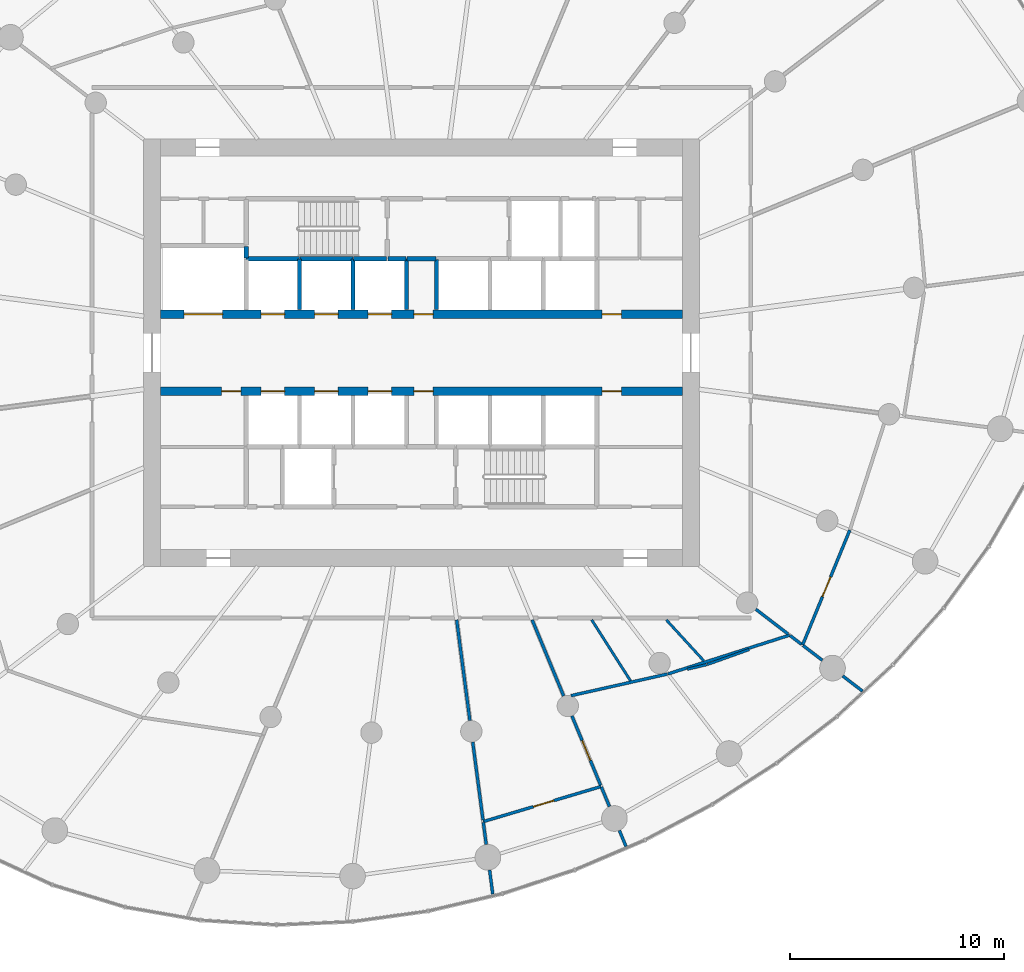
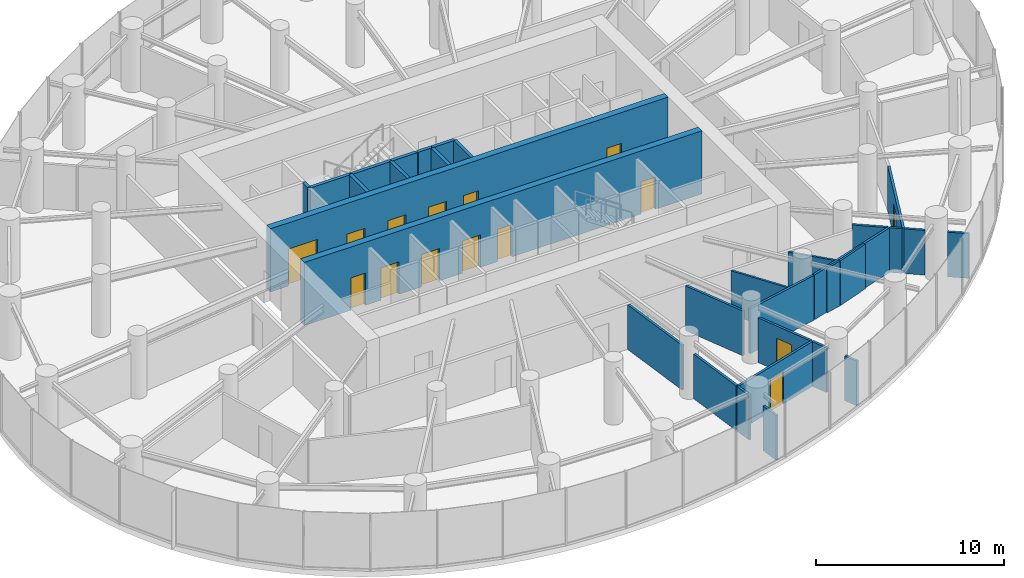
# One storey, part 11 of 17: 32 walls, 15 doors, 15 openings.
"""IFC4 building model written with IfcOpenShell, lengths in metres."""

from ifc_helpers import new_model, si_unit, direction, frame, frame_2d, origin, place, context, subcontext, project, spatial, rectangle, extrude, source, transform, mapped, material, layer, layer_set, type_object, element, fill, save


model = new_model("IFC4")

# Units and contexts
model_context = context("Model", 3, precision=1e-05, world=origin(), true_north=direction((0.0, 1.0)))
body_context = subcontext(model_context, "Body", "Model", "MODEL_VIEW")
ifc_project = project(units=[si_unit("LENGTHUNIT", "METRE"), si_unit("AREAUNIT", "SQUARE_METRE"), si_unit("VOLUMEUNIT", "CUBIC_METRE"), si_unit("PLANEANGLEUNIT", "RADIAN"), si_unit("MASSUNIT", "GRAM", prefix="KILO")], contexts=[model_context])

# Site, building, storey
site_placement = place(None, origin())
site = spatial("IfcSite", under=ifc_project, at=site_placement, CompositionType="ELEMENT")
building_placement = place(site_placement, origin())
building = spatial("IfcBuilding", under=site, at=building_placement, Name="Spindrift Exchange Tower", CompositionType="ELEMENT")
storey_placement = place(building_placement, frame((0.0, 0.0, 108.5)))
storey = spatial("IfcBuildingStorey", under=building, at=storey_placement, Name="L25", CompositionType="ELEMENT", Elevation=108.5)

# Wall, openings, doors
ifc_material_1 = material(Name="Concrete 65 MPa", Category="concrete")
ifc_layer_1 = layer(ifc_material_1, 0.39990234375)
ifc_layer_set_1 = layer_set([ifc_layer_1], Name="RC Spine Wall 400 Concrete 65 MPa")
wall_type_1 = type_object("IfcWallType", Name="RC Spine Wall 400 Concrete 65 MPa", PredefinedType="SHEAR", material=ifc_layer_set_1)
wall_1_placement = place(storey_placement, frame((39.800048828125, 49.800048828125, 0.0), z_axis=(0.0, 0.0, 1.0), x_axis=(1.0, 0.0, 0.0)))
wall_1 = element("IfcWall", 1, at=wall_1_placement, inside=storey, type_object=wall_type_1, Name="Core spine wall N L25", PredefinedType="SHEAR", context=body_context, shape_type="SweptSolid", body=[
    extrude(rectangle(XDim=24.39990234375, YDim=0.39990234375, at=frame_2d((12.199951171875, 0.0))), origin(), (0.0, 0.0, 1.0), 4.10009765625),
])
opening_1_placement = place(wall_1_placement, frame((4.699951171875, 0.0, 0.0)))
opening_1 = element("IfcOpeningElement", 2, at=opening_1_placement, cuts=wall_1, Name="Opening L25-D3", PredefinedType="OPENING", context=body_context, shape_type="SweptSolid", body=[
    extrude(rectangle(XDim=1.10009765625, YDim=2.10009765625, at=frame_2d((0.550048828125, 1.050048828125))), frame((0.0, 0.2099609375, 0.0), z_axis=(0.0, -1.0, 0.0), x_axis=(1.0, 0.0, 0.0)), (0.0, 0.0, 1.0), 0.419921875),
])
opening_2_placement = place(wall_1_placement, frame((7.199951171875, 0.0, 0.0)))
opening_2 = element("IfcOpeningElement", 3, at=opening_2_placement, cuts=wall_1, Name="Opening L25-D4", PredefinedType="OPENING", context=body_context, shape_type="SweptSolid", body=[
    extrude(rectangle(XDim=1.10009765625, YDim=2.10009765625, at=frame_2d((0.550048828125, 1.050048828125))), frame((0.0, 0.2099609375, 0.0), z_axis=(0.0, -1.0, 0.0), x_axis=(1.0, 0.0, 0.0)), (0.0, 0.0, 1.0), 0.419921875),
])
opening_3_placement = place(wall_1_placement, frame((9.699951171875, 0.0, 0.0)))
opening_3 = element("IfcOpeningElement", 4, at=opening_3_placement, cuts=wall_1, Name="Opening L25-D5", PredefinedType="OPENING", context=body_context, shape_type="SweptSolid", body=[
    extrude(rectangle(XDim=1.10009765625, YDim=2.10009765625, at=frame_2d((0.550048828125, 1.050048828125))), frame((0.0, 0.2099609375, 0.0), z_axis=(0.0, -1.0, 0.0), x_axis=(1.0, 0.0, 0.0)), (0.0, 0.0, 1.0), 0.419921875),
])
opening_4_placement = place(wall_1_placement, frame((1.10009765625, 0.0, 0.0)))
opening_4 = element("IfcOpeningElement", 5, at=opening_4_placement, cuts=wall_1, Name="Opening L25-D12", PredefinedType="OPENING", context=body_context, shape_type="SweptSolid", body=[
    extrude(rectangle(XDim=1.800048828125, YDim=2.39990234375, at=frame_2d((0.89990234375, 1.199951171875))), frame((0.0, 0.2099609375, 0.0), z_axis=(0.0, -1.0, 0.0), x_axis=(1.0, 0.0, 0.0)), (0.0, 0.0, 1.0), 0.419921875),
])
opening_5_placement = place(wall_1_placement, frame((20.64990234375, 0.0, 0.0)))
opening_5 = element("IfcOpeningElement", 6, at=opening_5_placement, cuts=wall_1, Name="Opening L25-D50", PredefinedType="OPENING", context=body_context, shape_type="SweptSolid", body=[
    extrude(rectangle(XDim=0.89990234375, YDim=2.10009765625, at=frame_2d((0.449951171875, 1.050048828125))), frame((0.0, 0.2099609375, 0.0), z_axis=(0.0, -1.0, 0.0), x_axis=(1.0, 0.0, 0.0)), (0.0, 0.0, 1.0), 0.419921875),
])
opening_6_placement = place(wall_1_placement, frame((11.85009765625, 0.0, 0.0)))
opening_6 = element("IfcOpeningElement", 7, at=opening_6_placement, cuts=wall_1, Name="Opening L25-D55", PredefinedType="OPENING", context=body_context, shape_type="SweptSolid", body=[
    extrude(rectangle(XDim=0.89990234375, YDim=2.10009765625, at=frame_2d((0.449951171875, 1.050048828125))), frame((0.0, 0.2099609375, 0.0), z_axis=(0.0, -1.0, 0.0), x_axis=(1.0, 0.0, 0.0)), (0.0, 0.0, 1.0), 0.419921875),
])
ifc_material_2 = material(Name="Stainless steel landing door", Category="steel")
door_type_1 = type_object("IfcDoorType", Name="DR-LANDING-1100-SL", OperationType="DOUBLE_DOOR_SLIDING", PredefinedType="USERDEFINED", material=ifc_material_2)
shared_shape_1 = source(origin(), body_context, "Body", "SweptSolid", [
    extrude(rectangle(XDim=1.10009765625, YDim=2.10009765625, at=frame_2d((0.550048828125, 1.050048828125))), frame((0.0, 0.02490234375, 0.0), z_axis=(0.0, -1.0, 0.0), x_axis=(1.0, 0.0, 0.0)), (0.0, 0.0, 1.0), 0.050048828125),
])
door_1_placement = place(opening_1_placement, origin())
door_1 = element("IfcDoor", 8, at=door_1_placement, inside=storey, type_object=door_type_1, Name="L25 Lift landing door 3", ObjectType="LANDING DOOR", OperationType="DOUBLE_DOOR_SLIDING", OverallHeight=2.10009765625, OverallWidth=1.10009765625, PredefinedType="USERDEFINED", context=body_context, shape_type="MappedRepresentation", body=[
    mapped(shared_shape_1, transform((0.0, 0.0, 0.0), scale=1.0)),
])
fill(opening_1, door_1)
door_2_placement = place(opening_2_placement, origin())
door_2 = element("IfcDoor", 9, at=door_2_placement, inside=storey, type_object=door_type_1, Name="L25 Lift landing door 4", ObjectType="LANDING DOOR", OperationType="DOUBLE_DOOR_SLIDING", OverallHeight=2.10009765625, OverallWidth=1.10009765625, PredefinedType="USERDEFINED", context=body_context, shape_type="MappedRepresentation", body=[
    mapped(shared_shape_1, transform((0.0, 0.0, 0.0), scale=1.0)),
])
fill(opening_2, door_2)
door_3_placement = place(opening_3_placement, origin())
door_3 = element("IfcDoor", 10, at=door_3_placement, inside=storey, type_object=door_type_1, Name="L25 Lift landing door 5", ObjectType="LANDING DOOR", OperationType="DOUBLE_DOOR_SLIDING", OverallHeight=2.10009765625, OverallWidth=1.10009765625, PredefinedType="USERDEFINED", context=body_context, shape_type="MappedRepresentation", body=[
    mapped(shared_shape_1, transform((0.0, 0.0, 0.0), scale=1.0)),
])
fill(opening_3, door_3)
door_type_2 = type_object("IfcDoorType", Name="DR-LANDING-1800-SL", OperationType="DOUBLE_DOOR_SLIDING", PredefinedType="USERDEFINED", material=ifc_material_2)
shared_shape_2 = source(origin(), body_context, "Body", "SweptSolid", [
    extrude(rectangle(XDim=1.800048828125, YDim=2.39990234375, at=frame_2d((0.89990234375, 1.199951171875))), frame((0.0, 0.02490234375, 0.0), z_axis=(0.0, -1.0, 0.0), x_axis=(1.0, 0.0, 0.0)), (0.0, 0.0, 1.0), 0.050048828125),
])
door_4_placement = place(opening_4_placement, origin())
door_4 = element("IfcDoor", 11, at=door_4_placement, inside=storey, type_object=door_type_2, Name="L25 Lift landing door 12", ObjectType="LANDING DOOR", OperationType="DOUBLE_DOOR_SLIDING", OverallHeight=2.39990234375, OverallWidth=1.800048828125, PredefinedType="USERDEFINED", context=body_context, shape_type="MappedRepresentation", body=[
    mapped(shared_shape_2, transform((0.0, 0.0, 0.0), scale=1.0)),
])
fill(opening_4, door_4)
ifc_material_3 = material(Name="Steel access door", Category="steel")
door_type_3 = type_object("IfcDoorType", Name="DR-RISER-900", OperationType="NOTDEFINED", PredefinedType="DOOR", material=ifc_material_3)
shared_shape_3 = source(origin(), body_context, "Body", "SweptSolid", [
    extrude(rectangle(XDim=0.89990234375, YDim=2.10009765625, at=frame_2d((0.449951171875, 1.050048828125))), frame((0.0, 0.02490234375, 0.0), z_axis=(0.0, -1.0, 0.0), x_axis=(1.0, 0.0, 0.0)), (0.0, 0.0, 1.0), 0.050048828125),
])
door_5_placement = place(opening_5_placement, origin())
door_5 = element("IfcDoor", 12, at=door_5_placement, inside=storey, type_object=door_type_3, Name="L25 Riser door 50", OperationType="SINGLE_SWING_RIGHT", OverallHeight=2.10009765625, OverallWidth=0.89990234375, PredefinedType="DOOR", context=body_context, shape_type="MappedRepresentation", body=[
    mapped(shared_shape_3, transform((0.0, 0.0, 0.0), scale=1.0)),
])
fill(opening_5, door_5)
door_6_placement = place(opening_6_placement, origin())
door_6 = element("IfcDoor", 13, at=door_6_placement, inside=storey, type_object=door_type_3, Name="L25 Riser door 55", OperationType="SINGLE_SWING_LEFT", OverallHeight=2.10009765625, OverallWidth=0.89990234375, PredefinedType="DOOR", context=body_context, shape_type="MappedRepresentation", body=[
    mapped(shared_shape_3, transform((0.0, 0.0, 0.0), scale=1.0)),
])
fill(opening_6, door_6)

wall_2_placement = place(storey_placement, frame((39.800048828125, 46.199951171875, 0.0), z_axis=(0.0, 0.0, 1.0), x_axis=(1.0, 0.0, 0.0)))
wall_2 = element("IfcWall", 14, at=wall_2_placement, inside=storey, type_object=wall_type_1, Name="Core spine wall S L25", PredefinedType="SHEAR", context=body_context, shape_type="SweptSolid", body=[
    extrude(rectangle(XDim=24.39990234375, YDim=0.39990234375, at=frame_2d((12.199951171875, 0.0))), origin(), (0.0, 0.0, 1.0), 4.10009765625),
])
opening_7_placement = place(wall_2_placement, frame((4.699951171875, 0.0, 0.0)))
opening_7 = element("IfcOpeningElement", 15, at=opening_7_placement, cuts=wall_2, Name="Opening L25-D6", PredefinedType="OPENING", context=body_context, shape_type="SweptSolid", body=[
    extrude(rectangle(XDim=1.10009765625, YDim=2.10009765625, at=frame_2d((0.550048828125, 1.050048828125))), frame((0.0, 0.2099609375, 0.0), z_axis=(0.0, -1.0, 0.0), x_axis=(1.0, 0.0, 0.0)), (0.0, 0.0, 1.0), 0.419921875),
])
opening_8_placement = place(wall_2_placement, frame((7.199951171875, 0.0, 0.0)))
opening_8 = element("IfcOpeningElement", 16, at=opening_8_placement, cuts=wall_2, Name="Opening L25-D7", PredefinedType="OPENING", context=body_context, shape_type="SweptSolid", body=[
    extrude(rectangle(XDim=1.10009765625, YDim=2.10009765625, at=frame_2d((0.550048828125, 1.050048828125))), frame((0.0, 0.2099609375, 0.0), z_axis=(0.0, -1.0, 0.0), x_axis=(1.0, 0.0, 0.0)), (0.0, 0.0, 1.0), 0.419921875),
])
opening_9_placement = place(wall_2_placement, frame((9.699951171875, 0.0, 0.0)))
opening_9 = element("IfcOpeningElement", 17, at=opening_9_placement, cuts=wall_2, Name="Opening L25-D8", PredefinedType="OPENING", context=body_context, shape_type="SweptSolid", body=[
    extrude(rectangle(XDim=1.10009765625, YDim=2.10009765625, at=frame_2d((0.550048828125, 1.050048828125))), frame((0.0, 0.2099609375, 0.0), z_axis=(0.0, -1.0, 0.0), x_axis=(1.0, 0.0, 0.0)), (0.0, 0.0, 1.0), 0.419921875),
])
opening_10_placement = place(wall_2_placement, frame((20.64990234375, 0.0, 0.0)))
opening_10 = element("IfcOpeningElement", 18, at=opening_10_placement, cuts=wall_2, Name="Opening L25-D49", PredefinedType="OPENING", context=body_context, shape_type="SweptSolid", body=[
    extrude(rectangle(XDim=0.89990234375, YDim=2.10009765625, at=frame_2d((0.449951171875, 1.050048828125))), frame((0.0, 0.2099609375, 0.0), z_axis=(0.0, -1.0, 0.0), x_axis=(1.0, 0.0, 0.0)), (0.0, 0.0, 1.0), 0.419921875),
])
opening_11_placement = place(wall_2_placement, frame((2.85009765625, 0.0, 0.0)))
opening_11 = element("IfcOpeningElement", 19, at=opening_11_placement, cuts=wall_2, Name="Opening L25-D54", PredefinedType="OPENING", context=body_context, shape_type="SweptSolid", body=[
    extrude(rectangle(XDim=0.89990234375, YDim=2.10009765625, at=frame_2d((0.449951171875, 1.050048828125))), frame((0.0, 0.2099609375, 0.0), z_axis=(0.0, -1.0, 0.0), x_axis=(1.0, 0.0, 0.0)), (0.0, 0.0, 1.0), 0.419921875),
])
opening_12_placement = place(wall_2_placement, frame((11.85009765625, 0.0, 0.0)))
opening_12 = element("IfcOpeningElement", 20, at=opening_12_placement, cuts=wall_2, Name="Opening L25-D56", PredefinedType="OPENING", context=body_context, shape_type="SweptSolid", body=[
    extrude(rectangle(XDim=0.89990234375, YDim=2.10009765625, at=frame_2d((0.449951171875, 1.050048828125))), frame((0.0, 0.2099609375, 0.0), z_axis=(0.0, -1.0, 0.0), x_axis=(1.0, 0.0, 0.0)), (0.0, 0.0, 1.0), 0.419921875),
])
door_7_placement = place(opening_7_placement, origin())
door_7 = element("IfcDoor", 21, at=door_7_placement, inside=storey, type_object=door_type_1, Name="L25 Lift landing door 6", ObjectType="LANDING DOOR", OperationType="DOUBLE_DOOR_SLIDING", OverallHeight=2.10009765625, OverallWidth=1.10009765625, PredefinedType="USERDEFINED", context=body_context, shape_type="MappedRepresentation", body=[
    mapped(shared_shape_1, transform((0.0, 0.0, 0.0), scale=1.0)),
])
fill(opening_7, door_7)
door_8_placement = place(opening_8_placement, origin())
door_8 = element("IfcDoor", 22, at=door_8_placement, inside=storey, type_object=door_type_1, Name="L25 Lift landing door 7", ObjectType="LANDING DOOR", OperationType="DOUBLE_DOOR_SLIDING", OverallHeight=2.10009765625, OverallWidth=1.10009765625, PredefinedType="USERDEFINED", context=body_context, shape_type="MappedRepresentation", body=[
    mapped(shared_shape_1, transform((0.0, 0.0, 0.0), scale=1.0)),
])
fill(opening_8, door_8)
door_9_placement = place(opening_9_placement, origin())
door_9 = element("IfcDoor", 23, at=door_9_placement, inside=storey, type_object=door_type_1, Name="L25 Lift landing door 8", ObjectType="LANDING DOOR", OperationType="DOUBLE_DOOR_SLIDING", OverallHeight=2.10009765625, OverallWidth=1.10009765625, PredefinedType="USERDEFINED", context=body_context, shape_type="MappedRepresentation", body=[
    mapped(shared_shape_1, transform((0.0, 0.0, 0.0), scale=1.0)),
])
fill(opening_9, door_9)
door_10_placement = place(opening_10_placement, origin())
door_10 = element("IfcDoor", 24, at=door_10_placement, inside=storey, type_object=door_type_3, Name="L25 Riser door 49", OperationType="SINGLE_SWING_LEFT", OverallHeight=2.10009765625, OverallWidth=0.89990234375, PredefinedType="DOOR", context=body_context, shape_type="MappedRepresentation", body=[
    mapped(shared_shape_3, transform((0.0, 0.0, 0.0), scale=1.0)),
])
fill(opening_10, door_10)
door_11_placement = place(opening_11_placement, origin())
door_11 = element("IfcDoor", 25, at=door_11_placement, inside=storey, type_object=door_type_3, Name="L25 Riser door 54", OperationType="SINGLE_SWING_RIGHT", OverallHeight=2.10009765625, OverallWidth=0.89990234375, PredefinedType="DOOR", context=body_context, shape_type="MappedRepresentation", body=[
    mapped(shared_shape_3, transform((0.0, 0.0, 0.0), scale=1.0)),
])
fill(opening_11, door_11)
door_12_placement = place(opening_12_placement, origin())
door_12 = element("IfcDoor", 26, at=door_12_placement, inside=storey, type_object=door_type_3, Name="L25 Riser door 56", OperationType="SINGLE_SWING_RIGHT", OverallHeight=2.10009765625, OverallWidth=0.89990234375, PredefinedType="DOOR", context=body_context, shape_type="MappedRepresentation", body=[
    mapped(shared_shape_3, transform((0.0, 0.0, 0.0), scale=1.0)),
])
fill(opening_12, door_12)

# Wall, opening, door
ifc_material_4 = material(Name="Fire-rated plasterboard partition", Category="gypsum")
ifc_layer_2 = layer(ifc_material_4, 0.139892578125)
ifc_layer_set_2 = layer_set([ifc_layer_2], Name="W-PART-140")
wall_type_2 = type_object("IfcWallType", Name="W-PART-140", PredefinedType="PARTITIONING", material=ifc_layer_set_2)
wall_3_placement = place(storey_placement, frame((60.40185546875, 27.71630859375, 0.0), z_axis=(0.0, 0.0, 1.0), x_axis=(-0.958396549516, -0.285440105584, 0.0)))
wall_3 = element("IfcWall", 27, at=wall_3_placement, inside=storey, type_object=wall_type_2, Name="L25 Partition wall 79", PredefinedType="PARTITIONING", context=body_context, shape_type="SweptSolid", body=[
    extrude(rectangle(XDim=5.754638671875, YDim=0.139892578125, at=frame_2d((2.87744140625, 0.0))), origin(), (0.0, 0.0, 1.0), 2.89990234375),
])
opening_13_placement = place(wall_3_placement, frame((2.304443359375, 0.0, 0.0)))
opening_13 = element("IfcOpeningElement", 28, at=opening_13_placement, cuts=wall_3, Name="Opening L25-D45", PredefinedType="OPENING", context=body_context, shape_type="SweptSolid", body=[
    extrude(rectangle(XDim=1.0, YDim=2.10009765625, at=frame_2d((0.5, 1.050048828125))), frame((0.0, 0.079833984375, 0.0), z_axis=(0.0, -1.0, 0.0), x_axis=(1.0, 0.0, 0.0)), (0.0, 0.0, 1.0), 0.159912109375),
])
ifc_material_5 = material(Name="Timber-core fire door", Category="wood")
door_type_4 = type_object("IfcDoorType", Name="DR-ROOM-1000", OperationType="NOTDEFINED", PredefinedType="DOOR", material=ifc_material_5)
shared_shape_4 = source(origin(), body_context, "Body", "SweptSolid", [
    extrude(rectangle(XDim=1.0, YDim=2.10009765625, at=frame_2d((0.5, 1.050048828125))), frame((0.0, 0.02490234375, 0.0), z_axis=(0.0, -1.0, 0.0), x_axis=(1.0, 0.0, 0.0)), (0.0, 0.0, 1.0), 0.050048828125),
])
door_13_placement = place(opening_13_placement, origin())
door_13 = element("IfcDoor", 29, at=door_13_placement, inside=storey, type_object=door_type_4, Name="L25 Door 45", OperationType="SINGLE_SWING_LEFT", OverallHeight=2.10009765625, OverallWidth=1.0, PredefinedType="DOOR", context=body_context, shape_type="MappedRepresentation", body=[
    mapped(shared_shape_4, transform((0.0, 0.0, 0.0), scale=1.0)),
])
fill(opening_13, door_13)

# Walls
wall_4_placement = place(storey_placement, frame((57.173583984375, 35.510009765625, 0.0), z_axis=(0.0, 0.0, 1.0), x_axis=(0.382644558062, -0.923895633817, 0.0)))
element("IfcWall", 30, at=wall_4_placement, inside=storey, type_object=wall_type_2, Name="L25 Partition wall 95", PredefinedType="PARTITIONING", context=body_context, shape_type="SweptSolid", body=[
    extrude(rectangle(XDim=3.854248046875, YDim=0.139892578125, at=frame_2d((1.92724609375, 0.0))), origin(), (0.0, 0.0, 1.0), 2.89990234375),
])
ifc_layer_3 = layer(ifc_material_4, 0.1201171875)
ifc_layer_set_3 = layer_set([ifc_layer_3], Name="W-PLANT-120")
wall_type_3 = type_object("IfcWallType", Name="W-PLANT-120", PredefinedType="PARTITIONING", material=ifc_layer_set_3)
wall_5_placement = place(storey_placement, frame((65.363037109375, 33.416748046875, 0.0), z_axis=(0.0, 0.0, 1.0), x_axis=(0.941622213284, 0.336671364166, 0.0)))
element("IfcWall", 31, at=wall_5_placement, inside=storey, type_object=wall_type_3, Name="L25 Partition wall 129", PredefinedType="PARTITIONING", context=body_context, shape_type="SweptSolid", body=[
    extrude(rectangle(XDim=2.07763671875, YDim=0.1201171875, at=frame_2d((1.038818359375, 0.0))), origin(), (0.0, 0.0, 1.0), 2.89990234375),
])
wall_6_placement = place(storey_placement, frame((64.4287109375, 33.195068359375, 0.0), z_axis=(0.0, 0.0, 1.0), x_axis=(0.972960885816, 0.230969943221, 0.0)))
element("IfcWall", 32, at=wall_6_placement, inside=storey, type_object=wall_type_3, Name="L25 Partition wall 132", PredefinedType="PARTITIONING", context=body_context, shape_type="SweptSolid", body=[
    extrude(rectangle(XDim=0.93017578125, YDim=0.1201171875, at=frame_2d((0.465087890625, 0.0))), origin(), (0.0, 0.0, 1.0), 2.89990234375),
])
ifc_layer_4 = layer(ifc_material_4, 0.139892578125)
ifc_layer_set_4 = layer_set([ifc_layer_4], Name="W-PLANT-140")
wall_type_4 = type_object("IfcWallType", Name="W-PLANT-140", PredefinedType="PARTITIONING", material=ifc_layer_set_4)
wall_7_placement = place(storey_placement, frame((63.52490234375, 32.98046875, 0.0), z_axis=(0.0, 0.0, 1.0), x_axis=(0.952796236259, 0.303610494172, 0.0)))
element("IfcWall", 33, at=wall_7_placement, inside=storey, type_object=wall_type_4, Name="L25 Partition wall 76", PredefinedType="PARTITIONING", context=body_context, shape_type="SweptSolid", body=[
    extrude(rectangle(XDim=5.968994140625, YDim=0.139892578125, at=frame_2d((2.984375, 0.0))), origin(), (0.0, 0.0, 1.0), 2.89990234375),
])

# Wall, opening, door
wall_8_placement = place(storey_placement, frame((72.028076171875, 39.7041015625, 0.0), z_axis=(0.0, 0.0, 1.0), x_axis=(-0.380042060719, -0.92496920602, 0.0)))
wall_8 = element("IfcWall", 34, at=wall_8_placement, inside=storey, type_object=wall_type_4, Name="L25 Partition wall 78", PredefinedType="PARTITIONING", context=body_context, shape_type="SweptSolid", body=[
    extrude(rectangle(XDim=5.813232421875, YDim=0.139892578125, at=frame_2d((2.90673828125, 0.0))), origin(), (0.0, 0.0, 1.0), 2.89990234375),
])
opening_14_placement = place(wall_8_placement, frame((2.36328125, 0.0, 0.0)))
opening_14 = element("IfcOpeningElement", 35, at=opening_14_placement, cuts=wall_8, Name="Opening L25-D28", PredefinedType="OPENING", context=body_context, shape_type="SweptSolid", body=[
    extrude(rectangle(XDim=1.0, YDim=2.10009765625, at=frame_2d((0.5, 1.050048828125))), frame((0.0, 0.079833984375, 0.0), z_axis=(0.0, -1.0, 0.0), x_axis=(1.0, 0.0, 0.0)), (0.0, 0.0, 1.0), 0.159912109375),
])
door_14_placement = place(opening_14_placement, origin())
door_14 = element("IfcDoor", 36, at=door_14_placement, inside=storey, type_object=door_type_4, Name="L25 Door 28", OperationType="SINGLE_SWING_RIGHT", OverallHeight=2.10009765625, OverallWidth=1.0, PredefinedType="DOOR", context=body_context, shape_type="MappedRepresentation", body=[
    mapped(shared_shape_4, transform((0.0, 0.0, 0.0), scale=1.0)),
])
fill(opening_14, door_14)

# Walls
wall_9_placement = place(storey_placement, frame((53.644287109375, 35.510009765625, 0.0), z_axis=(0.0, 0.0, 1.0), x_axis=(0.130548834981, -0.991441880135, 0.0)))
element("IfcWall", 37, at=wall_9_placement, inside=storey, type_object=wall_type_4, Name="L25 Partition wall 87", PredefinedType="PARTITIONING", context=body_context, shape_type="SweptSolid", body=[
    extrude(rectangle(XDim=4.75390625, YDim=0.139892578125, at=frame_2d((2.376953125, 0.0))), origin(), (0.0, 0.0, 1.0), 2.89990234375),
])
wall_10_placement = place(storey_placement, frame((58.994384765625, 31.963623046875, 0.0), z_axis=(0.0, 0.0, 1.0), x_axis=(0.975726638185, 0.218992071856, 0.0)))
element("IfcWall", 38, at=wall_10_placement, inside=storey, type_object=wall_type_4, Name="L25 Partition wall 88", PredefinedType="PARTITIONING", context=body_context, shape_type="SweptSolid", body=[
    extrude(rectangle(XDim=4.61328125, YDim=0.139892578125, at=frame_2d((2.306640625, 0.0))), origin(), (0.0, 0.0, 1.0), 2.89990234375),
])
wall_11_placement = place(storey_placement, frame((54.396484375, 29.796630859375, 0.0), z_axis=(0.0, 0.0, 1.0), x_axis=(0.13054879449, -0.991441885466, 0.0)))
element("IfcWall", 39, at=wall_11_placement, inside=storey, type_object=wall_type_4, Name="L25 Partition wall 98", PredefinedType="PARTITIONING", context=body_context, shape_type="SweptSolid", body=[
    extrude(rectangle(XDim=3.68408203125, YDim=0.139892578125, at=frame_2d((1.842041015625, 0.0))), origin(), (0.0, 0.0, 1.0), 2.89990234375),
])

# Wall, opening, door
wall_12_placement = place(storey_placement, frame((59.034912109375, 31.015869140625, 0.0), z_axis=(0.0, 0.0, 1.0), x_axis=(0.382713118167, -0.923867235691, 0.0)))
wall_12 = element("IfcWall", 40, at=wall_12_placement, inside=storey, type_object=wall_type_4, Name="L25 Partition wall 99", PredefinedType="PARTITIONING", context=body_context, shape_type="SweptSolid", body=[
    extrude(rectangle(XDim=3.5009765625, YDim=0.139892578125, at=frame_2d((1.75048828125, 0.0))), origin(), (0.0, 0.0, 1.0), 2.89990234375),
])
opening_15_placement = place(wall_12_placement, frame((1.25, 0.0, 0.0)))
opening_15 = element("IfcOpeningElement", 41, at=opening_15_placement, cuts=wall_12, Name="Opening L25-D29", PredefinedType="OPENING", context=body_context, shape_type="SweptSolid", body=[
    extrude(rectangle(XDim=1.0, YDim=2.10009765625, at=frame_2d((0.5, 1.050048828125))), frame((0.0, 0.079833984375, 0.0), z_axis=(0.0, -1.0, 0.0), x_axis=(1.0, 0.0, 0.0)), (0.0, 0.0, 1.0), 0.159912109375),
])
door_15_placement = place(opening_15_placement, origin())
door_15 = element("IfcDoor", 42, at=door_15_placement, inside=storey, type_object=door_type_4, Name="L25 Door 29", OperationType="SINGLE_SWING_LEFT", OverallHeight=2.10009765625, OverallWidth=1.0, PredefinedType="DOOR", context=body_context, shape_type="MappedRepresentation", body=[
    mapped(shared_shape_4, transform((0.0, 0.0, 0.0), scale=1.0)),
])
fill(opening_15, door_15)

# Walls
wall_13_placement = place(storey_placement, frame((67.632568359375, 36.004638671875, 0.0), z_axis=(0.0, 0.0, 1.0), x_axis=(0.79330932609, -0.608818785139, 0.0)))
element("IfcWall", 43, at=wall_13_placement, inside=storey, type_object=wall_type_4, Name="L25 Partition wall 106", PredefinedType="PARTITIONING", context=body_context, shape_type="SweptSolid", body=[
    extrude(rectangle(XDim=1.905517578125, YDim=0.139892578125, at=frame_2d((0.95263671875, 0.0))), origin(), (0.0, 0.0, 1.0), 2.89990234375),
])
wall_14_placement = place(storey_placement, frame((71.69921875, 32.88427734375, 0.0), z_axis=(0.0, 0.0, 1.0), x_axis=(0.793332880396, -0.608788091935, 0.0)))
element("IfcWall", 44, at=wall_14_placement, inside=storey, type_object=wall_type_4, Name="L25 Partition wall 116", PredefinedType="PARTITIONING", context=body_context, shape_type="SweptSolid", body=[
    extrude(rectangle(XDim=1.1640625, YDim=0.139892578125, at=frame_2d((0.58203125, 0.0))), origin(), (0.0, 0.0, 1.0), 2.89990234375),
])
for number, where, z_axis, x_axis, name in (
    (45, (69.8427734375, 34.308837890625, 0.0), (0.0, 0.0, 1.0), (0.793321446023, -0.608802992174, 0.0), "L25 Partition wall 118"),
    (46, (55.185302734375, 23.805419921875, 0.0), (0.0, 0.0, 1.0), (0.130566163888, -0.991439598184, 0.0), "L25 Partition wall 119"),
):
    element("IfcWall", number, at=place(storey_placement, frame(where, z_axis=z_axis, x_axis=x_axis)), inside=storey, type_object=wall_type_4, Name=name, PredefinedType="PARTITIONING", context=body_context, shape_type="SweptSolid", body=[
        extrude(rectangle(XDim=1.13134765625, YDim=0.139892578125, at=frame_2d((0.565673828125, 0.0))), origin(), (0.0, 0.0, 1.0), 2.89990234375),
    ])
wall_15_placement = place(storey_placement, frame((54.890625, 26.0439453125, 0.0), z_axis=(0.0, 0.0, 1.0), x_axis=(0.130562877322, -0.991440030998, 0.0)))
element("IfcWall", 47, at=wall_15_placement, inside=storey, type_object=wall_type_4, Name="L25 Partition wall 120", PredefinedType="PARTITIONING", context=body_context, shape_type="SweptSolid", body=[
    extrude(rectangle(XDim=1.049072265625, YDim=0.139892578125, at=frame_2d((0.5244140625, 0.0))), origin(), (0.0, 0.0, 1.0), 2.89990234375),
])
wall_16_placement = place(storey_placement, frame((60.4130859375, 27.688720703125, 0.0), z_axis=(0.0, 0.0, 1.0), x_axis=(0.382767514508, -0.923844700065, 0.0)))
element("IfcWall", 48, at=wall_16_placement, inside=storey, type_object=wall_type_4, Name="L25 Partition wall 123", PredefinedType="PARTITIONING", context=body_context, shape_type="SweptSolid", body=[
    extrude(rectangle(XDim=0.9853515625, YDim=0.139892578125, at=frame_2d((0.49267578125, 0.0))), origin(), (0.0, 0.0, 1.0), 2.89990234375),
])
wall_17_placement = place(storey_placement, frame((61.25341796875, 25.660400390625, 0.0), z_axis=(0.0, 0.0, 1.0), x_axis=(0.382520140646, -0.923947153251, 0.0)))
element("IfcWall", 49, at=wall_17_placement, inside=storey, type_object=wall_type_4, Name="L25 Partition wall 126", PredefinedType="PARTITIONING", context=body_context, shape_type="SweptSolid", body=[
    extrude(rectangle(XDim=0.811279296875, YDim=0.139892578125, at=frame_2d((0.40576171875, 0.0))), origin(), (0.0, 0.0, 1.0), 2.89990234375),
])
wall_18_placement = place(storey_placement, frame((69.23583984375, 34.7744140625, 0.0), z_axis=(0.0, 0.0, 1.0), x_axis=(0.793363129336, -0.608748671465, 0.0)))
element("IfcWall", 50, at=wall_18_placement, inside=storey, type_object=wall_type_4, Name="L25 Partition wall 127", PredefinedType="PARTITIONING", context=body_context, shape_type="SweptSolid", body=[
    extrude(rectangle(XDim=0.66259765625, YDim=0.139892578125, at=frame_2d((0.331298828125, 0.0))), origin(), (0.0, 0.0, 1.0), 2.89990234375),
])
ifc_material_6 = material(Name="Concrete 40 MPa", Category="concrete")
ifc_layer_5 = layer(ifc_material_6, 0.199951171875)
ifc_layer_set_5 = layer_set([ifc_layer_5], Name="W-SHAFT-200")
wall_type_5 = type_object("IfcWallType", Name="W-SHAFT-200", PredefinedType="SOLIDWALL", material=ifc_layer_set_5)
wall_19_placement = place(storey_placement, frame((51.300048828125, 50.010009765625, 0.0), z_axis=(0.0, 0.0, 1.0), x_axis=(0.0, 1.0, 0.0)))
element("IfcWall", 51, at=wall_19_placement, inside=storey, type_object=wall_type_5, Name="L25 Shaft wall 30", PredefinedType="SOLIDWALL", context=body_context, shape_type="SweptSolid", body=[
    extrude(rectangle(XDim=2.389892578125, YDim=0.199951171875, at=frame_2d((1.19482421875, 0.0))), origin(), (0.0, 0.0, 1.0), 3.699951171875),
])
wall_20_placement = place(storey_placement, frame((52.699951171875, 52.3701171875, 0.0), z_axis=(0.0, 0.0, 1.0), x_axis=(0.0, -1.0, 0.0)))
element("IfcWall", 52, at=wall_20_placement, inside=storey, type_object=wall_type_5, Name="L25 Shaft wall 32", PredefinedType="SOLIDWALL", context=body_context, shape_type="SweptSolid", body=[
    extrude(rectangle(XDim=2.360107421875, YDim=0.199951171875, at=frame_2d((1.18017578125, 0.0))), origin(), (0.0, 0.0, 1.0), 3.699951171875),
])
wall_21_placement = place(storey_placement, frame((51.330078125, 52.39990234375, 0.0), z_axis=(0.0, 0.0, 1.0), x_axis=(1.0, 0.0, 0.0)))
element("IfcWall", 53, at=wall_21_placement, inside=storey, type_object=wall_type_5, Name="L25 Shaft wall 49", PredefinedType="SOLIDWALL", context=body_context, shape_type="SweptSolid", body=[
    extrude(rectangle(XDim=1.33984375, YDim=0.199951171875, at=frame_2d((0.669921875, 0.0))), origin(), (0.0, 0.0, 1.0), 3.699951171875),
])
ifc_layer_6 = layer(ifc_material_6, 0.199951171875)
ifc_layer_set_6 = layer_set([ifc_layer_6], Name="W-SHAFT-200-LB")
wall_type_6 = type_object("IfcWallType", Name="W-SHAFT-200-LB", PredefinedType="SOLIDWALL", material=ifc_layer_set_6)
wall_22_placement = place(storey_placement, frame((46.300048828125, 52.39990234375, 0.0), z_axis=(0.0, 0.0, 1.0), x_axis=(-1.0, 0.0, 0.0)))
element("IfcWall", 54, at=wall_22_placement, inside=storey, type_object=wall_type_6, Name="L25 Shaft wall 15", PredefinedType="SOLIDWALL", context=body_context, shape_type="SweptSolid", body=[
    extrude(rectangle(XDim=2.5, YDim=0.199951171875, at=frame_2d((1.25, 0.0))), origin(), (0.0, 0.0, 1.0), 3.699951171875),
])
wall_23_placement = place(storey_placement, frame((48.800048828125, 52.39990234375, 0.0), z_axis=(0.0, 0.0, 1.0), x_axis=(-1.0, 0.0, 0.0)))
element("IfcWall", 55, at=wall_23_placement, inside=storey, type_object=wall_type_6, Name="L25 Shaft wall 16", PredefinedType="SOLIDWALL", context=body_context, shape_type="SweptSolid", body=[
    extrude(rectangle(XDim=2.469970703125, YDim=0.199951171875, at=frame_2d((1.23486328125, 0.0))), origin(), (0.0, 0.0, 1.0), 3.699951171875),
])
for number, where, z_axis, x_axis, name in (
    (56, (46.300048828125, 50.010009765625, 0.0), (0.0, 0.0, 1.0), (0.0, 1.0, 0.0), "L25 Shaft wall 26"),
    (57, (48.800048828125, 50.010009765625, 0.0), (0.0, 0.0, 1.0), (0.0, 1.0, 0.0), "L25 Shaft wall 28"),
):
    element("IfcWall", number, at=place(storey_placement, frame(where, z_axis=z_axis, x_axis=x_axis)), inside=storey, type_object=wall_type_6, Name=name, PredefinedType="SOLIDWALL", context=body_context, shape_type="SweptSolid", body=[
        extrude(rectangle(XDim=2.360107421875, YDim=0.199951171875, at=frame_2d((1.18017578125, 0.0))), origin(), (0.0, 0.0, 1.0), 3.699951171875),
    ])
wall_24_placement = place(storey_placement, frame((50.3701171875, 52.39990234375, 0.0), z_axis=(0.0, 0.0, 1.0), x_axis=(-1.0, 0.0, 0.0)))
element("IfcWall", 58, at=wall_24_placement, inside=storey, type_object=wall_type_6, Name="L25 Shaft wall 45", PredefinedType="SOLIDWALL", context=body_context, shape_type="SweptSolid", body=[
    extrude(rectangle(XDim=1.5400390625, YDim=0.199951171875, at=frame_2d((0.77001953125, 0.0))), origin(), (0.0, 0.0, 1.0), 3.699951171875),
])
wall_25_placement = place(storey_placement, frame((51.27001953125, 52.39990234375, 0.0), z_axis=(0.0, 0.0, 1.0), x_axis=(-1.0, 0.0, 0.0)))
element("IfcWall", 59, at=wall_25_placement, inside=storey, type_object=wall_type_6, Name="L25 Shaft wall 51", PredefinedType="SOLIDWALL", context=body_context, shape_type="SweptSolid", body=[
    extrude(rectangle(XDim=0.840087890625, YDim=0.199951171875, at=frame_2d((0.419921875, 0.0))), origin(), (0.0, 0.0, 1.0), 3.699951171875),
])
wall_26_placement = place(storey_placement, frame((43.800048828125, 52.429931640625, 0.0), z_axis=(0.0, 0.0, 1.0), x_axis=(0.0, 1.0, 0.0)))
element("IfcWall", 60, at=wall_26_placement, inside=storey, type_object=wall_type_6, Name="L25 Shaft wall 56", PredefinedType="SOLIDWALL", context=body_context, shape_type="SweptSolid", body=[
    extrude(rectangle(XDim=0.5400390625, YDim=0.199951171875, at=frame_2d((0.27001953125, 0.0))), origin(), (0.0, 0.0, 1.0), 3.699951171875),
])
ifc_layer_7 = layer(ifc_material_4, 0.1201171875)
ifc_layer_set_7 = layer_set([ifc_layer_7], Name="W-WET-120")
wall_type_7 = type_object("IfcWallType", Name="W-WET-120", PredefinedType="PARTITIONING", material=ifc_layer_set_7)
wall_27_placement = place(storey_placement, frame((59.95703125, 35.510009765625, 0.0), z_axis=(0.0, 0.0, 1.0), x_axis=(0.53729604105, -0.843393718421, 0.0)))
element("IfcWall", 61, at=wall_27_placement, inside=storey, type_object=wall_type_7, Name="L25 Partition wall 130", PredefinedType="PARTITIONING", context=body_context, shape_type="SweptSolid", body=[
    extrude(rectangle(XDim=3.380126953125, YDim=0.1201171875, at=frame_2d((1.68994140625, 0.0))), origin(), (0.0, 0.0, 1.0), 2.89990234375),
])
wall_28_placement = place(storey_placement, frame((63.445068359375, 35.510009765625, 0.0), z_axis=(0.0, 0.0, 1.0), x_axis=(0.675550604447, -0.737313624471, 0.0)))
element("IfcWall", 62, at=wall_28_placement, inside=storey, type_object=wall_type_7, Name="L25 Partition wall 131", PredefinedType="PARTITIONING", context=body_context, shape_type="SweptSolid", body=[
    extrude(rectangle(XDim=2.60498046875, YDim=0.1201171875, at=frame_2d((1.302490234375, 0.0))), origin(), (0.0, 0.0, 1.0), 2.89990234375),
])

save(model, "model.ifc")
